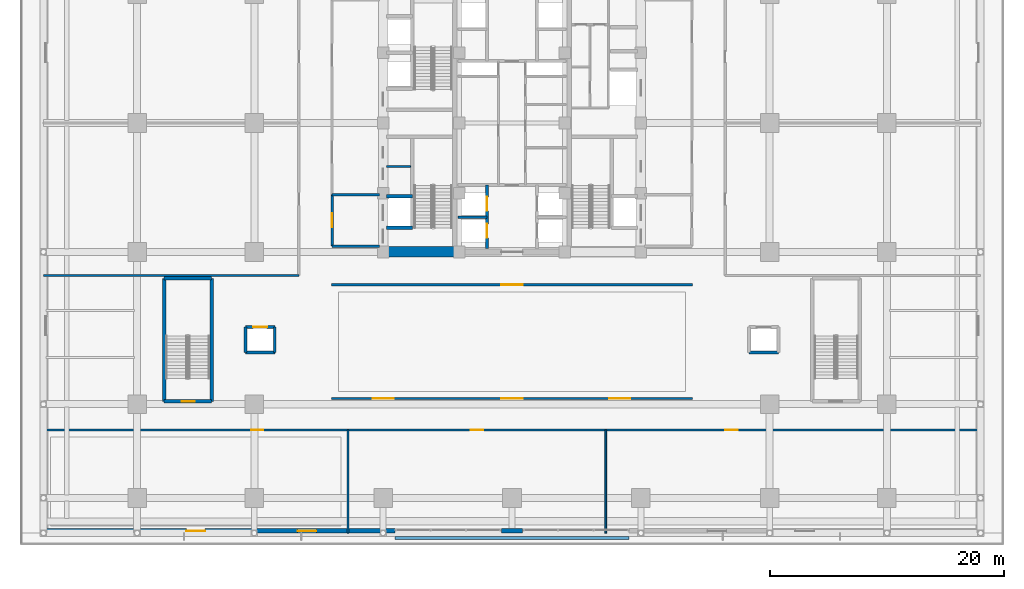
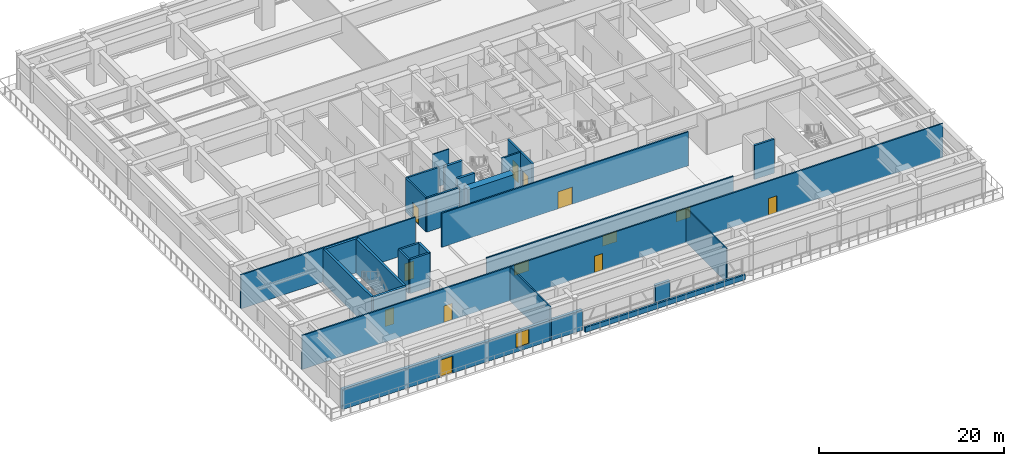
# One storey, part 25 of 38: 27 walls, 10 doors, 4 windows, 14 openings.
"""IFC4 building model written with IfcOpenShell, lengths in metres."""

from ifc_helpers import new_model, si_unit, direction, frame, frame_2d, origin, place, context, subcontext, project, spatial, rectangle, extrude, source, transform, mapped, material, layer, layer_set, type_object, element, fill, save


model = new_model("IFC4")

# Units and contexts
model_context = context("Model", 3, precision=1e-05, world=origin(), true_north=direction((0.0, 1.0)))
body_context = subcontext(model_context, "Body", "Model", "MODEL_VIEW")
ifc_project = project(units=[si_unit("LENGTHUNIT", "METRE"), si_unit("AREAUNIT", "SQUARE_METRE"), si_unit("VOLUMEUNIT", "CUBIC_METRE"), si_unit("PLANEANGLEUNIT", "RADIAN"), si_unit("MASSUNIT", "GRAM", prefix="KILO")], contexts=[model_context])

# Site, building, storey
site_placement = place(None, origin())
site = spatial("IfcSite", under=ifc_project, at=site_placement, CompositionType="ELEMENT")
building_placement = place(site_placement, origin())
building = spatial("IfcBuilding", under=site, at=building_placement, Name="Khorayat Bourse Tower", CompositionType="ELEMENT")
storey_placement = place(building_placement, frame((0.0, 0.0, 17.39990234375)))
storey = spatial("IfcBuildingStorey", under=building, at=storey_placement, Name="L03", CompositionType="ELEMENT", Elevation=17.39990234375)

# Wall
ifc_material_1 = material(Name="Concrete C72/90", Category="concrete")
ifc_layer_1 = layer(ifc_material_1, 0.89990234375)
ifc_layer_set_1 = layer_set([ifc_layer_1], Name="Concrete C72/90")
wall_type_1 = type_object("IfcWallType", Name="WAL-CORE-900", PredefinedType="SHEAR", material=ifc_layer_set_1)
shared_shape_1 = source(origin(), body_context, "Body", "SweptSolid", [
    extrude(rectangle(XDim=5.849853515625, YDim=0.89990234375, at=frame_2d((2.9248046875, 0.0))), origin(), (0.0, 0.0, 1.0), 4.47998046875),
])
wall_1_placement = place(storey_placement, frame((-10.699951171875, -11.0, 0.0), z_axis=(0.0, 0.0, 1.0), x_axis=(1.0, 0.0, 0.0)))
element("IfcWall", 1, at=wall_1_placement, inside=storey, type_object=wall_type_1, Name="L03 Core Shear Wall PIER-WS", PredefinedType="SHEAR", context=body_context, shape_type="MappedRepresentation", body=[
    mapped(shared_shape_1, transform((0.0, 0.0, 0.0), scale=1.0)),
])

# Wall, openings, door, window
ifc_material_2 = material(Name="Precast concrete C45/55", Category="concrete")
ifc_layer_2 = layer(ifc_material_2, 0.3798828125)
ifc_layer_set_2 = layer_set([ifc_layer_2], Name="Precast concrete C45/55")
wall_type_2 = type_object("IfcWallType", Name="WAL-EXT-STONE-380", PredefinedType="STANDARD", material=ifc_layer_set_2)
shared_shape_2 = source(origin(), body_context, "Body", "SweptSolid", [
    extrude(rectangle(XDim=30.0, YDim=0.3798828125, at=frame_2d((15.0, 0.0))), origin(), (0.0, 0.0, 1.0), 2.68017578125),
])
wall_2_placement = place(storey_placement, frame((-40.0, -34.81005859375, 0.0), z_axis=(0.0, 0.0, 1.0), x_axis=(1.0, 0.0, 0.0)))
wall_2 = element("IfcWall", 2, at=wall_2_placement, inside=storey, type_object=wall_type_2, Name="L03 Exterior Limestone Wall WAL-L03-EXT-SW", PredefinedType="STANDARD", context=body_context, shape_type="MappedRepresentation", body=[
    mapped(shared_shape_2, transform((0.0, 0.0, 0.0), scale=1.0)),
])
shared_shape_3 = source(origin(), body_context, "Body", "SweptSolid", [
    extrude(rectangle(XDim=1.60009765625, YDim=2.25, at=frame_2d((0.800048828125, 1.125))), frame((0.0, 0.199951171875, 0.0), z_axis=(0.0, -1.0, 0.0), x_axis=(1.0, 0.0, 0.0)), (0.0, 0.0, 1.0), 0.39990234375),
])
opening_1_placement = place(wall_2_placement, frame((12.199951171875, 0.0, 0.0)))
opening_1 = element("IfcOpeningElement", 3, at=opening_1_placement, cuts=wall_2, Name="Opening DE-04", PredefinedType="OPENING", context=body_context, shape_type="MappedRepresentation", body=[
    mapped(shared_shape_3, transform((0.0, 0.0, 0.0), scale=1.0)),
])
shared_shape_4 = source(origin(), body_context, "Body", "SweptSolid", [
    extrude(rectangle(XDim=1.60009765625, YDim=1.9599609375, at=frame_2d((0.800048828125, 0.97998046875))), frame((0.0, 0.199951171875, 0.0), z_axis=(0.0, -1.0, 0.0), x_axis=(1.0, 0.0, 0.0)), (0.0, 0.0, 1.0), 0.39990234375),
])
opening_2_placement = place(wall_2_placement, frame((21.699951171875, 0.0, 0.5)))
opening_2 = element("IfcOpeningElement", 4, at=opening_2_placement, cuts=wall_2, Name="Opening WN-02", PredefinedType="OPENING", context=body_context, shape_type="MappedRepresentation", body=[
    mapped(shared_shape_4, transform((0.0, 0.0, 0.0), scale=1.0)),
])
ifc_material_3 = material(Name="Thermally broken aluminium terrace double door", Category="aluminium")
door_type_1 = type_object("IfcDoorType", Name="DR-EXT-TERR-1600", OperationType="NOTDEFINED", PredefinedType="DOOR", material=ifc_material_3)
shared_shape_5 = source(origin(), body_context, "Body", "SweptSolid", [
    extrude(rectangle(XDim=1.60009765625, YDim=2.25, at=frame_2d((0.800048828125, 1.125))), frame((0.0, 0.02490234375, 0.0), z_axis=(0.0, -1.0, 0.0), x_axis=(1.0, 0.0, 0.0)), (0.0, 0.0, 1.0), 0.050048828125),
])
door_1_placement = place(opening_1_placement, origin())
door_1 = element("IfcDoor", 5, at=door_1_placement, inside=storey, type_object=door_type_1, Name="L03 South Garden Terrace Door", OperationType="DOUBLE_DOOR_SINGLE_SWING", OverallHeight=2.25, OverallWidth=1.60009765625, PredefinedType="DOOR", context=body_context, shape_type="MappedRepresentation", body=[
    mapped(shared_shape_5, transform((0.0, 0.0, 0.0), scale=1.0)),
])
fill(opening_1, door_1)
ifc_material_4 = material(Name="Low-E solar-control laminated double glazing", Category="glass")
window_type_1 = type_object("IfcWindowType", Name="WIN-POD-1600x2200", PartitioningType="SINGLE_PANEL", PredefinedType="WINDOW", material=ifc_material_4)
shared_shape_6 = source(origin(), body_context, "Body", "SweptSolid", [
    extrude(rectangle(XDim=1.60009765625, YDim=1.9599609375, at=frame_2d((0.800048828125, 0.97998046875))), frame((0.0, 0.030029296875, 0.0), z_axis=(0.0, -1.0, 0.0), x_axis=(1.0, 0.0, 0.0)), (0.0, 0.0, 1.0), 0.06005859375),
])
window_1_placement = place(opening_2_placement, origin())
window_1 = element("IfcWindow", 6, at=window_1_placement, inside=storey, type_object=window_type_1, Name="L03 Facade Window 3", OverallHeight=1.9599609375, OverallWidth=1.60009765625, PartitioningType="SINGLE_PANEL", PredefinedType="WINDOW", context=body_context, shape_type="MappedRepresentation", body=[
    mapped(shared_shape_6, transform((0.0, 0.0, 0.0), scale=1.0)),
])
fill(opening_2, window_1)

# Walls
shared_shape_7 = source(origin(), body_context, "Body", "SweptSolid", [
    extrude(rectangle(XDim=1.7998046875, YDim=0.3798828125, at=frame_2d((0.89990234375, 0.0))), origin(), (0.0, 0.0, 1.0), 2.68017578125),
])
wall_3_placement = place(storey_placement, frame((-0.89990234375, -34.81005859375, 0.0), z_axis=(0.0, 0.0, 1.0), x_axis=(1.0, 0.0, 0.0)))
element("IfcWall", 7, at=wall_3_placement, inside=storey, type_object=wall_type_2, Name="L03 Exterior Limestone Wall WAL-L03-EXT-SM", PredefinedType="STANDARD", context=body_context, shape_type="MappedRepresentation", body=[
    mapped(shared_shape_7, transform((0.0, 0.0, 0.0), scale=1.0)),
])
ifc_layer_3 = layer(ifc_material_2, 0.239990234375)
ifc_layer_set_3 = layer_set([ifc_layer_3], Name="Precast concrete C45/55")
wall_type_3 = type_object("IfcWallType", Name="WAL-PLANTER-240", PredefinedType="STANDARD", material=ifc_layer_set_3)
shared_shape_8 = source(origin(), body_context, "Body", "SweptSolid", [
    extrude(rectangle(XDim=20.0, YDim=0.239990234375, at=frame_2d((10.0, 0.0))), origin(), (0.0, 0.0, 1.0), 0.650146484375),
])
wall_4_placement = place(storey_placement, frame((-10.0, -35.429931640625, 0.0), z_axis=(0.0, 0.0, 1.0), x_axis=(1.0, 0.0, 0.0)))
element("IfcWall", 8, at=wall_4_placement, inside=storey, type_object=wall_type_3, Name="L03 Planted Terrace Upstand PLN-S", PredefinedType="STANDARD", context=body_context, shape_type="MappedRepresentation", body=[
    mapped(shared_shape_8, transform((0.0, 0.0, 0.0), scale=1.0)),
])
ifc_material_5 = material(Name="Concrete C50/60", Category="concrete")
ifc_layer_4 = layer(ifc_material_5, 0.300048828125)
ifc_layer_set_4 = layer_set([ifc_layer_4], Name="Concrete C50/60")
wall_type_4 = type_object("IfcWallType", Name="WAL-SHAFT-300", PredefinedType="SHEAR", material=ifc_layer_set_4)
shared_shape_9 = source(origin(), body_context, "Body", "SweptSolid", [
    extrude(rectangle(XDim=2.199951171875, YDim=0.300048828125, at=frame_2d((1.10009765625, 0.0))), origin(), (0.0, 0.0, 1.0), 4.47998046875),
])
for number, where, z_axis, x_axis, name in (
    (9, (-10.699951171875, -8.949951171875, 0.0), (0.0, 0.0, 1.0), (1.0, 0.0, 0.0), "L03 Partition WAL-L03-WPIER-FF1S"),
    (10, (-10.699951171875, -6.25, 0.0), (0.0, 0.0, 1.0), (1.0, 0.0, 0.0), "L03 Partition WAL-L03-WPIER-FF1N"),
):
    element("IfcWall", number, at=place(storey_placement, frame(where, z_axis=z_axis, x_axis=x_axis)), inside=storey, type_object=wall_type_4, Name=name, PredefinedType="SHEAR", context=body_context, shape_type="MappedRepresentation", body=[
        mapped(shared_shape_9, transform((0.0, 0.0, 0.0), scale=1.0)),
    ])
ifc_material_6 = material(Name="Gypsum plasterboard twin-frame partition")
ifc_layer_5 = layer(ifc_material_6, 0.14990234375)
ifc_layer_set_5 = layer_set([ifc_layer_5], Name="Gypsum plasterboard twin-frame partition")
wall_type_5 = type_object("IfcWallType", Name="WAL-PART-SUITE-150", PredefinedType="PARTITIONING", material=ifc_layer_set_5)
shared_shape_10 = source(origin(), body_context, "Body", "SweptSolid", [
    extrude(rectangle(XDim=2.050048828125, YDim=0.14990234375, at=frame_2d((1.02490234375, 0.0))), origin(), (0.0, 0.0, 1.0), 4.47998046875),
])
wall_5_placement = place(storey_placement, frame((-10.699951171875, -3.699951171875, 0.0), z_axis=(0.0, 0.0, 1.0), x_axis=(1.0, 0.0, 0.0)))
element("IfcWall", 11, at=wall_5_placement, inside=storey, type_object=wall_type_5, Name="L03 Partition WAL-L03-WSRV-D1", PredefinedType="PARTITIONING", context=body_context, shape_type="MappedRepresentation", body=[
    mapped(shared_shape_10, transform((0.0, 0.0, 0.0), scale=1.0)),
])
ifc_material_7 = material(Name="Aerated concrete blockwork", Category="masonry")
ifc_layer_6 = layer(ifc_material_7, 0.219970703125)
ifc_layer_set_6 = layer_set([ifc_layer_6], Name="Aerated concrete blockwork")
wall_type_6 = type_object("IfcWallType", Name="WAL-PART-FF-220", PredefinedType="PARTITIONING", material=ifc_layer_set_6)
shared_shape_11 = source(origin(), body_context, "Body", "SweptSolid", [
    extrude(rectangle(XDim=4.050048828125, YDim=0.219970703125, at=frame_2d((2.02490234375, 0.0))), origin(), (0.0, 0.0, 1.0), 4.47998046875),
])
for number, where, z_axis, x_axis, name in (
    (12, (-15.35009765625, -10.5, 0.0), (0.0, 0.0, 1.0), (1.0, 0.0, 0.0), "L03 Partition WAL-L03-FFLW-S"),
    (13, (-15.35009765625, -6.10009765625, 0.0), (0.0, 0.0, 1.0), (1.0, 0.0, 0.0), "L03 Partition WAL-L03-FFLW-N"),
):
    element("IfcWall", number, at=place(storey_placement, frame(where, z_axis=z_axis, x_axis=x_axis)), inside=storey, type_object=wall_type_6, Name=name, PredefinedType="PARTITIONING", context=body_context, shape_type="MappedRepresentation", body=[
        mapped(shared_shape_11, transform((0.0, 0.0, 0.0), scale=1.0)),
    ])

# Wall, opening, door
shared_shape_12 = source(origin(), body_context, "Body", "SweptSolid", [
    extrude(rectangle(XDim=4.39990234375, YDim=0.219970703125, at=frame_2d((2.199951171875, 0.0))), origin(), (0.0, 0.0, 1.0), 4.47998046875),
])
wall_6_placement = place(storey_placement, frame((-15.35009765625, -10.5, 0.0), z_axis=(0.0, 0.0, 1.0), x_axis=(0.0, 1.0, 0.0)))
wall_6 = element("IfcWall", 14, at=wall_6_placement, inside=storey, type_object=wall_type_6, Name="L03 Partition WAL-L03-FFLW-W", PredefinedType="PARTITIONING", context=body_context, shape_type="MappedRepresentation", body=[
    mapped(shared_shape_12, transform((0.0, 0.0, 0.0), scale=1.0)),
])
shared_shape_13 = source(origin(), body_context, "Body", "SweptSolid", [
    extrude(rectangle(XDim=1.199951171875, YDim=2.199951171875, at=frame_2d((0.60009765625, 1.10009765625))), frame((0.0, 0.119873046875, 0.0), z_axis=(0.0, -1.0, 0.0), x_axis=(1.0, 0.0, 0.0)), (0.0, 0.0, 1.0), 0.239990234375),
])
opening_3_placement = place(wall_6_placement, frame((1.60009765625, 0.0, 0.0)))
opening_3 = element("IfcOpeningElement", 15, at=opening_3_placement, cuts=wall_6, Name="Opening DI-02", PredefinedType="OPENING", context=body_context, shape_type="MappedRepresentation", body=[
    mapped(shared_shape_13, transform((0.0, 0.0, 0.0), scale=1.0)),
])
ifc_material_8 = material(Name="Fire-rated steel double-seal leaf", Category="steel")
door_type_2 = type_object("IfcDoorType", Name="DR-INT-FFLOBBY-1200", OperationType="NOTDEFINED", PredefinedType="DOOR", material=ifc_material_8)
shared_shape_14 = source(origin(), body_context, "Body", "SweptSolid", [
    extrude(rectangle(XDim=1.199951171875, YDim=2.199951171875, at=frame_2d((0.60009765625, 1.10009765625))), frame((0.0, 0.02490234375, 0.0), z_axis=(0.0, -1.0, 0.0), x_axis=(1.0, 0.0, 0.0)), (0.0, 0.0, 1.0), 0.050048828125),
])
door_2_placement = place(opening_3_placement, origin())
door_2 = element("IfcDoor", 16, at=door_2_placement, inside=storey, type_object=door_type_2, Name="L03 West Firefighting Lobby Door", OperationType="SINGLE_SWING_LEFT", OverallHeight=2.199951171875, OverallWidth=1.199951171875, PredefinedType="DOOR", context=body_context, shape_type="MappedRepresentation", body=[
    mapped(shared_shape_14, transform((0.0, 0.0, 0.0), scale=1.0)),
])
fill(opening_3, door_2)

# Wall, openings, doors
shared_shape_15 = source(origin(), body_context, "Body", "SweptSolid", [
    extrude(rectangle(XDim=5.39990234375, YDim=0.25, at=frame_2d((2.699951171875, 0.0))), origin(), (0.0, 0.0, 1.0), 4.47998046875),
])
wall_7_placement = place(storey_placement, frame((-2.14990234375, -10.699951171875, 0.0), z_axis=(0.0, 0.0, 1.0), x_axis=(0.0, 1.0, 0.0)))
wall_7 = element("IfcWall", 17, at=wall_7_placement, inside=storey, type_object=wall_type_4, Name="L03 Partition WAL-L03-B1-W", PredefinedType="SHEAR", context=body_context, shape_type="MappedRepresentation", body=[
    mapped(shared_shape_15, transform((0.0, 0.0, 0.0), scale=1.0)),
])
shared_shape_16 = source(origin(), body_context, "Body", "SweptSolid", [
    extrude(rectangle(XDim=1.199951171875, YDim=2.300048828125, at=frame_2d((0.60009765625, 1.14990234375))), frame((0.0, 0.135009765625, 0.0), z_axis=(0.0, -1.0, 0.0), x_axis=(1.0, 0.0, 0.0)), (0.0, 0.0, 1.0), 0.27001953125),
])
opening_4_placement = place(wall_7_placement, frame((0.89990234375, 0.0, 0.0)))
opening_4 = element("IfcOpeningElement", 18, at=opening_4_placement, cuts=wall_7, Name="Opening LD-01", PredefinedType="OPENING", context=body_context, shape_type="MappedRepresentation", body=[
    mapped(shared_shape_16, transform((0.0, 0.0, 0.0), scale=1.0)),
])
opening_5_placement = place(wall_7_placement, frame((3.199951171875, 0.0, 0.0)))
opening_5 = element("IfcOpeningElement", 19, at=opening_5_placement, cuts=wall_7, Name="Opening LD-01", PredefinedType="OPENING", context=body_context, shape_type="MappedRepresentation", body=[
    mapped(shared_shape_16, transform((0.0, 0.0, 0.0), scale=1.0)),
])
ifc_material_9 = material(Name="Brushed bronze stainless-steel sliding door", Category="steel")
door_type_3 = type_object("IfcDoorType", Name="DR-LIFT-PASS-1200", OperationType="NOTDEFINED", PredefinedType="DOOR", material=ifc_material_9)
shared_shape_17 = source(origin(), body_context, "Body", "SweptSolid", [
    extrude(rectangle(XDim=1.199951171875, YDim=2.300048828125, at=frame_2d((0.60009765625, 1.14990234375))), frame((0.0, 0.02490234375, 0.0), z_axis=(0.0, -1.0, 0.0), x_axis=(1.0, 0.0, 0.0)), (0.0, 0.0, 1.0), 0.050048828125),
])
door_3_placement = place(opening_4_placement, origin())
door_3 = element("IfcDoor", 20, at=door_3_placement, inside=storey, type_object=door_type_3, Name="L03 Lift PL-L1 Sliding Landing Door", OperationType="SLIDING_TO_LEFT", OverallHeight=2.300048828125, OverallWidth=1.199951171875, PredefinedType="DOOR", context=body_context, shape_type="MappedRepresentation", body=[
    mapped(shared_shape_17, transform((0.0, 0.0, 0.0), scale=1.0)),
])
fill(opening_4, door_3)
door_4_placement = place(opening_5_placement, origin())
door_4 = element("IfcDoor", 21, at=door_4_placement, inside=storey, type_object=door_type_3, Name="L03 Lift PL-L3 Sliding Landing Door", OperationType="SLIDING_TO_LEFT", OverallHeight=2.300048828125, OverallWidth=1.199951171875, PredefinedType="DOOR", context=body_context, shape_type="MappedRepresentation", body=[
    mapped(shared_shape_17, transform((0.0, 0.0, 0.0), scale=1.0)),
])
fill(opening_5, door_4)

# Wall
shared_shape_18 = source(origin(), body_context, "Body", "SweptSolid", [
    extrude(rectangle(XDim=2.4501953125, YDim=0.199951171875, at=frame_2d((1.22509765625, 0.0))), origin(), (0.0, 0.0, 1.0), 4.47998046875),
])
wall_8_placement = place(storey_placement, frame((-4.60009765625, -8.050048828125, 0.0), z_axis=(0.0, 0.0, 1.0), x_axis=(1.0, 0.0, 0.0)))
element("IfcWall", 22, at=wall_8_placement, inside=storey, type_object=wall_type_4, Name="L03 Partition WAL-L03-B1-MW", PredefinedType="SHEAR", context=body_context, shape_type="MappedRepresentation", body=[
    mapped(shared_shape_18, transform((0.0, 0.0, 0.0), scale=1.0)),
])

# Wall, opening, door
shared_shape_19 = source(origin(), body_context, "Body", "SweptSolid", [
    extrude(rectangle(XDim=4.050048828125, YDim=0.300048828125, at=frame_2d((2.02490234375, 0.0))), origin(), (0.0, 0.0, 1.0), 4.47998046875),
])
wall_9_placement = place(storey_placement, frame((-29.699951171875, -23.75, 0.0), z_axis=(0.0, 0.0, 1.0), x_axis=(1.0, 0.0, 0.0)))
wall_9 = element("IfcWall", 23, at=wall_9_placement, inside=storey, type_object=wall_type_4, Name="L03 Partition WAL-L03-STP1-S", PredefinedType="SHEAR", context=body_context, shape_type="MappedRepresentation", body=[
    mapped(shared_shape_19, transform((0.0, 0.0, 0.0), scale=1.0)),
])
shared_shape_20 = source(origin(), body_context, "Body", "SweptSolid", [
    extrude(rectangle(XDim=1.10009765625, YDim=2.199951171875, at=frame_2d((0.550048828125, 1.10009765625))), frame((0.0, 0.159912109375, 0.0), z_axis=(0.0, -1.0, 0.0), x_axis=(1.0, 0.0, 0.0)), (0.0, 0.0, 1.0), 0.320068359375),
])
opening_6_placement = place(wall_9_placement, frame((1.5, 0.0, 0.0)))
opening_6 = element("IfcOpeningElement", 24, at=opening_6_placement, cuts=wall_9, Name="Opening DI-01", PredefinedType="OPENING", context=body_context, shape_type="MappedRepresentation", body=[
    mapped(shared_shape_20, transform((0.0, 0.0, 0.0), scale=1.0)),
])
ifc_material_10 = material(Name="Fire-rated steel acoustic leaf", Category="steel")
door_type_4 = type_object("IfcDoorType", Name="DR-INT-STAIR-1100", OperationType="NOTDEFINED", PredefinedType="DOOR", material=ifc_material_10)
shared_shape_21 = source(origin(), body_context, "Body", "SweptSolid", [
    extrude(rectangle(XDim=1.10009765625, YDim=2.199951171875, at=frame_2d((0.550048828125, 1.10009765625))), frame((0.0, 0.02490234375, 0.0), z_axis=(0.0, -1.0, 0.0), x_axis=(1.0, 0.0, 0.0)), (0.0, 0.0, 1.0), 0.050048828125),
])
door_5_placement = place(opening_6_placement, origin())
door_5 = element("IfcDoor", 25, at=door_5_placement, inside=storey, type_object=door_type_4, Name="L03 Podium Stair P1 Door", OperationType="SINGLE_SWING_RIGHT", OverallHeight=2.199951171875, OverallWidth=1.10009765625, PredefinedType="DOOR", context=body_context, shape_type="MappedRepresentation", body=[
    mapped(shared_shape_21, transform((0.0, 0.0, 0.0), scale=1.0)),
])
fill(opening_6, door_5)

# Walls
wall_10_placement = place(storey_placement, frame((-29.699951171875, -13.25, 0.0), z_axis=(0.0, 0.0, 1.0), x_axis=(1.0, 0.0, 0.0)))
element("IfcWall", 26, at=wall_10_placement, inside=storey, type_object=wall_type_4, Name="L03 Partition WAL-L03-STP1-N", PredefinedType="SHEAR", context=body_context, shape_type="MappedRepresentation", body=[
    mapped(shared_shape_19, transform((0.0, 0.0, 0.0), scale=1.0)),
])
shared_shape_22 = source(origin(), body_context, "Body", "SweptSolid", [
    extrude(rectangle(XDim=10.5, YDim=0.300048828125, at=frame_2d((5.25, 0.0))), origin(), (0.0, 0.0, 1.0), 4.47998046875),
])
for number, where, z_axis, x_axis, name in (
    (27, (-29.699951171875, -23.75, 0.0), (0.0, 0.0, 1.0), (0.0, 1.0, 0.0), "L03 Partition WAL-L03-STP1-W"),
    (28, (-25.64990234375, -23.75, 0.0), (0.0, 0.0, 1.0), (0.0, 1.0, 0.0), "L03 Partition WAL-L03-STP1-E"),
):
    element("IfcWall", number, at=place(storey_placement, frame(where, z_axis=z_axis, x_axis=x_axis)), inside=storey, type_object=wall_type_4, Name=name, PredefinedType="SHEAR", context=body_context, shape_type="MappedRepresentation", body=[
        mapped(shared_shape_22, transform((0.0, 0.0, 0.0), scale=1.0)),
    ])
shared_shape_23 = source(origin(), body_context, "Body", "SweptSolid", [
    extrude(rectangle(XDim=2.5, YDim=0.25, at=frame_2d((1.25, 0.0))), origin(), (0.0, 0.0, 1.0), 4.47998046875),
])
wall_11_placement = place(storey_placement, frame((-22.75, -19.60009765625, 0.0), z_axis=(0.0, 0.0, 1.0), x_axis=(1.0, 0.0, 0.0)))
element("IfcWall", 29, at=wall_11_placement, inside=storey, type_object=wall_type_4, Name="L03 Partition WAL-L03-PLP1-S", PredefinedType="SHEAR", context=body_context, shape_type="MappedRepresentation", body=[
    mapped(shared_shape_23, transform((0.0, 0.0, 0.0), scale=1.0)),
])

# Wall, opening, door
wall_12_placement = place(storey_placement, frame((-22.75, -17.39990234375, 0.0), z_axis=(0.0, 0.0, 1.0), x_axis=(1.0, 0.0, 0.0)))
wall_12 = element("IfcWall", 30, at=wall_12_placement, inside=storey, type_object=wall_type_4, Name="L03 Partition WAL-L03-PLP1-N", PredefinedType="SHEAR", context=body_context, shape_type="MappedRepresentation", body=[
    mapped(shared_shape_23, transform((0.0, 0.0, 0.0), scale=1.0)),
])
opening_7_placement = place(wall_12_placement, frame((0.64990234375, 0.0, 0.0)))
opening_7 = element("IfcOpeningElement", 31, at=opening_7_placement, cuts=wall_12, Name="Opening LD-01", PredefinedType="OPENING", context=body_context, shape_type="MappedRepresentation", body=[
    mapped(shared_shape_16, transform((0.0, 0.0, 0.0), scale=1.0)),
])
door_6_placement = place(opening_7_placement, origin())
door_6 = element("IfcDoor", 32, at=door_6_placement, inside=storey, type_object=door_type_3, Name="L03 Lift PL-P1 Sliding Landing Door", OperationType="SLIDING_TO_LEFT", OverallHeight=2.300048828125, OverallWidth=1.199951171875, PredefinedType="DOOR", context=body_context, shape_type="MappedRepresentation", body=[
    mapped(shared_shape_17, transform((0.0, 0.0, 0.0), scale=1.0)),
])
fill(opening_7, door_6)

# Walls
wall_13_placement = place(storey_placement, frame((20.25, -19.60009765625, 0.0), z_axis=(0.0, 0.0, 1.0), x_axis=(1.0, 0.0, 0.0)))
element("IfcWall", 33, at=wall_13_placement, inside=storey, type_object=wall_type_4, Name="L03 Partition WAL-L03-PLP2-S", PredefinedType="SHEAR", context=body_context, shape_type="MappedRepresentation", body=[
    mapped(shared_shape_23, transform((0.0, 0.0, 0.0), scale=1.0)),
])
shared_shape_24 = source(origin(), body_context, "Body", "SweptSolid", [
    extrude(rectangle(XDim=2.2001953125, YDim=0.25, at=frame_2d((1.10009765625, 0.0))), origin(), (0.0, 0.0, 1.0), 4.47998046875),
])
for number, where, z_axis, x_axis, name in (
    (34, (-22.75, -19.60009765625, 0.0), (0.0, 0.0, 1.0), (0.0, 1.0, 0.0), "L03 Partition WAL-L03-PLP1-W"),
    (35, (-20.25, -19.60009765625, 0.0), (0.0, 0.0, 1.0), (0.0, 1.0, 0.0), "L03 Partition WAL-L03-PLP1-E"),
):
    element("IfcWall", number, at=place(storey_placement, frame(where, z_axis=z_axis, x_axis=x_axis)), inside=storey, type_object=wall_type_4, Name=name, PredefinedType="SHEAR", context=body_context, shape_type="MappedRepresentation", body=[
        mapped(shared_shape_24, transform((0.0, 0.0, 0.0), scale=1.0)),
    ])

# Wall, opening, door
ifc_material_11 = material(Name="Gypsum plasterboard acoustic stud wall")
ifc_layer_7 = layer(ifc_material_11, 0.179931640625)
ifc_layer_set_7 = layer_set([ifc_layer_7], Name="Gypsum plasterboard acoustic stud wall")
wall_type_7 = type_object("IfcWallType", Name="WAL-PART-CORR-180", PredefinedType="PARTITIONING", material=ifc_layer_set_7)
shared_shape_25 = source(origin(), body_context, "Body", "SweptSolid", [
    extrude(rectangle(XDim=30.7998046875, YDim=0.179931640625, at=frame_2d((15.39990234375, 0.0))), origin(), (0.0, 0.0, 1.0), 4.47998046875),
])
wall_14_placement = place(storey_placement, frame((-15.39990234375, -13.800048828125, 0.0), z_axis=(0.0, 0.0, 1.0), x_axis=(1.0, 0.0, 0.0)))
wall_14 = element("IfcWall", 36, at=wall_14_placement, inside=storey, type_object=wall_type_7, Name="L03 Partition WAL-L03-HALL-N", PredefinedType="PARTITIONING", context=body_context, shape_type="MappedRepresentation", body=[
    mapped(shared_shape_25, transform((0.0, 0.0, 0.0), scale=1.0)),
])
shared_shape_26 = source(origin(), body_context, "Body", "SweptSolid", [
    extrude(rectangle(XDim=1.800048828125, YDim=2.25, at=frame_2d((0.89990234375, 1.125))), frame((0.0, 0.099853515625, 0.0), z_axis=(0.0, -1.0, 0.0), x_axis=(1.0, 0.0, 0.0)), (0.0, 0.0, 1.0), 0.199951171875),
])
opening_8_placement = place(wall_14_placement, frame((14.5, 0.0, 0.0)))
opening_8 = element("IfcOpeningElement", 37, at=opening_8_placement, cuts=wall_14, Name="Opening DI-03", PredefinedType="OPENING", context=body_context, shape_type="MappedRepresentation", body=[
    mapped(shared_shape_26, transform((0.0, 0.0, 0.0), scale=1.0)),
])
ifc_material_12 = material(Name="Fire-rated hardwood vision-panel double leaf", Category="wood")
door_type_5 = type_object("IfcDoorType", Name="DR-INT-CORR-1800", OperationType="NOTDEFINED", PredefinedType="DOOR", material=ifc_material_12)
shared_shape_27 = source(origin(), body_context, "Body", "SweptSolid", [
    extrude(rectangle(XDim=1.800048828125, YDim=2.25, at=frame_2d((0.89990234375, 1.125))), frame((0.0, 0.02490234375, 0.0), z_axis=(0.0, -1.0, 0.0), x_axis=(1.0, 0.0, 0.0)), (0.0, 0.0, 1.0), 0.050048828125),
])
door_7_placement = place(opening_8_placement, origin())
door_7 = element("IfcDoor", 38, at=door_7_placement, inside=storey, type_object=door_type_5, Name="L03 Central Clearing Counterparty Hall Door", OperationType="SINGLE_SWING_LEFT", OverallHeight=2.25, OverallWidth=1.800048828125, PredefinedType="DOOR", context=body_context, shape_type="MappedRepresentation", body=[
    mapped(shared_shape_27, transform((0.0, 0.0, 0.0), scale=1.0)),
])
fill(opening_8, door_7)

# Wall, openings, windows
wall_15_placement = place(storey_placement, frame((-15.39990234375, -23.5, 0.0), z_axis=(0.0, 0.0, 1.0), x_axis=(1.0, 0.0, 0.0)))
wall_15 = element("IfcWall", 39, at=wall_15_placement, inside=storey, type_object=wall_type_7, Name="L03 Partition WAL-L03-HALL-S", PredefinedType="PARTITIONING", context=body_context, shape_type="MappedRepresentation", body=[
    mapped(shared_shape_25, transform((0.0, 0.0, 0.0), scale=1.0)),
])
shared_shape_28 = source(origin(), body_context, "Body", "SweptSolid", [
    extrude(rectangle(XDim=1.800048828125, YDim=1.39990234375, at=frame_2d((0.89990234375, 0.699951171875))), frame((0.0, 0.099853515625, 0.0), z_axis=(0.0, -1.0, 0.0), x_axis=(1.0, 0.0, 0.0)), (0.0, 0.0, 1.0), 0.199951171875),
])
opening_9_placement = place(wall_15_placement, frame((3.5, 0.0, 0.89990234375)))
opening_9 = element("IfcOpeningElement", 40, at=opening_9_placement, cuts=wall_15, Name="Opening WNI-01", PredefinedType="OPENING", context=body_context, shape_type="MappedRepresentation", body=[
    mapped(shared_shape_28, transform((0.0, 0.0, 0.0), scale=1.0)),
])
opening_10_placement = place(wall_15_placement, frame((14.5, 0.0, 0.89990234375)))
opening_10 = element("IfcOpeningElement", 41, at=opening_10_placement, cuts=wall_15, Name="Opening WNI-01", PredefinedType="OPENING", context=body_context, shape_type="MappedRepresentation", body=[
    mapped(shared_shape_28, transform((0.0, 0.0, 0.0), scale=1.0)),
])
opening_11_placement = place(wall_15_placement, frame((23.699951171875, 0.0, 0.89990234375)))
opening_11 = element("IfcOpeningElement", 42, at=opening_11_placement, cuts=wall_15, Name="Opening WNI-01", PredefinedType="OPENING", context=body_context, shape_type="MappedRepresentation", body=[
    mapped(shared_shape_28, transform((0.0, 0.0, 0.0), scale=1.0)),
])
ifc_material_13 = material(Name="Acoustic laminated interior vision glazing", Category="glass")
window_type_2 = type_object("IfcWindowType", Name="WIN-INT-VISION-1800", PartitioningType="SINGLE_PANEL", PredefinedType="WINDOW", material=ifc_material_13)
shared_shape_29 = source(origin(), body_context, "Body", "SweptSolid", [
    extrude(rectangle(XDim=1.800048828125, YDim=1.39990234375, at=frame_2d((0.89990234375, 0.699951171875))), frame((0.0, 0.030029296875, 0.0), z_axis=(0.0, -1.0, 0.0), x_axis=(1.0, 0.0, 0.0)), (0.0, 0.0, 1.0), 0.06005859375),
])
window_2_placement = place(opening_9_placement, origin())
window_2 = element("IfcWindow", 43, at=window_2_placement, inside=storey, type_object=window_type_2, Name="L03 Interior Gallery Vision Window 1", OverallHeight=1.39990234375, OverallWidth=1.800048828125, PartitioningType="SINGLE_PANEL", PredefinedType="WINDOW", context=body_context, shape_type="MappedRepresentation", body=[
    mapped(shared_shape_29, transform((0.0, 0.0, 0.0), scale=1.0)),
])
fill(opening_9, window_2)
window_3_placement = place(opening_10_placement, origin())
window_3 = element("IfcWindow", 44, at=window_3_placement, inside=storey, type_object=window_type_2, Name="L03 Interior Gallery Vision Window 2", OverallHeight=1.39990234375, OverallWidth=1.800048828125, PartitioningType="SINGLE_PANEL", PredefinedType="WINDOW", context=body_context, shape_type="MappedRepresentation", body=[
    mapped(shared_shape_29, transform((0.0, 0.0, 0.0), scale=1.0)),
])
fill(opening_10, window_3)
window_4_placement = place(opening_11_placement, origin())
window_4 = element("IfcWindow", 45, at=window_4_placement, inside=storey, type_object=window_type_2, Name="L03 Interior Gallery Vision Window 3", OverallHeight=1.39990234375, OverallWidth=1.800048828125, PartitioningType="SINGLE_PANEL", PredefinedType="WINDOW", context=body_context, shape_type="MappedRepresentation", body=[
    mapped(shared_shape_29, transform((0.0, 0.0, 0.0), scale=1.0)),
])
fill(opening_11, window_4)

# Walls
shared_shape_30 = source(origin(), body_context, "Body", "SweptSolid", [
    extrude(rectangle(XDim=8.800048828125, YDim=0.14990234375, at=frame_2d((4.39990234375, 0.0))), origin(), (0.0, 0.0, 1.0), 4.47998046875),
])
for number, where, z_axis, x_axis, name in (
    (46, (-14.0, -35.0, 0.0), (0.0, 0.0, 1.0), (0.0, 1.0, 0.0), "L03 Partition WAL-L03-PS-DIV-1"),
    (47, (8.0, -35.0, 0.0), (0.0, 0.0, 1.0), (0.0, 1.0, 0.0), "L03 Partition WAL-L03-PS-DIV-2"),
):
    element("IfcWall", number, at=place(storey_placement, frame(where, z_axis=z_axis, x_axis=x_axis)), inside=storey, type_object=wall_type_5, Name=name, PredefinedType="PARTITIONING", context=body_context, shape_type="MappedRepresentation", body=[
        mapped(shared_shape_30, transform((0.0, 0.0, 0.0), scale=1.0)),
    ])

# Wall, openings, doors
shared_shape_31 = source(origin(), body_context, "Body", "SweptSolid", [
    extrude(rectangle(XDim=80.0, YDim=0.179931640625, at=frame_2d((40.0, 0.0))), origin(), (0.0, 0.0, 1.0), 4.47998046875),
])
wall_16_placement = place(storey_placement, frame((-40.0, -26.199951171875, 0.0), z_axis=(0.0, 0.0, 1.0), x_axis=(1.0, 0.0, 0.0)))
wall_16 = element("IfcWall", 48, at=wall_16_placement, inside=storey, type_object=wall_type_7, Name="L03 Partition WAL-L03-PCORRS-S", PredefinedType="PARTITIONING", context=body_context, shape_type="MappedRepresentation", body=[
    mapped(shared_shape_31, transform((0.0, 0.0, 0.0), scale=1.0)),
])
shared_shape_32 = source(origin(), body_context, "Body", "SweptSolid", [
    extrude(rectangle(XDim=1.050048828125, YDim=2.199951171875, at=frame_2d((0.52490234375, 1.10009765625))), frame((0.0, 0.099853515625, 0.0), z_axis=(0.0, -1.0, 0.0), x_axis=(1.0, 0.0, 0.0)), (0.0, 0.0, 1.0), 0.199951171875),
])
opening_12_placement = place(wall_16_placement, frame((17.72509765625, 0.0, 0.0)))
opening_12 = element("IfcOpeningElement", 49, at=opening_12_placement, cuts=wall_16, Name="Opening DI-04", PredefinedType="OPENING", context=body_context, shape_type="MappedRepresentation", body=[
    mapped(shared_shape_32, transform((0.0, 0.0, 0.0), scale=1.0)),
])
opening_13_placement = place(wall_16_placement, frame((36.47509765625, 0.0, 0.0)))
opening_13 = element("IfcOpeningElement", 50, at=opening_13_placement, cuts=wall_16, Name="Opening DI-04", PredefinedType="OPENING", context=body_context, shape_type="MappedRepresentation", body=[
    mapped(shared_shape_32, transform((0.0, 0.0, 0.0), scale=1.0)),
])
opening_14_placement = place(wall_16_placement, frame((58.22509765625, 0.0, 0.0)))
opening_14 = element("IfcOpeningElement", 51, at=opening_14_placement, cuts=wall_16, Name="Opening DI-04", PredefinedType="OPENING", context=body_context, shape_type="MappedRepresentation", body=[
    mapped(shared_shape_32, transform((0.0, 0.0, 0.0), scale=1.0)),
])
ifc_material_14 = material(Name="Fire-rated oak veneer suite entrance door")
door_type_6 = type_object("IfcDoorType", Name="DR-INT-SUITE-1050", OperationType="NOTDEFINED", PredefinedType="DOOR", material=ifc_material_14)
shared_shape_33 = source(origin(), body_context, "Body", "SweptSolid", [
    extrude(rectangle(XDim=1.050048828125, YDim=2.199951171875, at=frame_2d((0.52490234375, 1.10009765625))), frame((0.0, 0.02490234375, 0.0), z_axis=(0.0, -1.0, 0.0), x_axis=(1.0, 0.0, 0.0)), (0.0, 0.0, 1.0), 0.050048828125),
])
door_8_placement = place(opening_12_placement, origin())
door_8 = element("IfcDoor", 52, at=door_8_placement, inside=storey, type_object=door_type_6, Name="L03 Settlement Operations Suite A Door", OperationType="SINGLE_SWING_RIGHT", OverallHeight=2.199951171875, OverallWidth=1.050048828125, PredefinedType="DOOR", context=body_context, shape_type="MappedRepresentation", body=[
    mapped(shared_shape_33, transform((0.0, 0.0, 0.0), scale=1.0)),
])
fill(opening_12, door_8)
door_9_placement = place(opening_13_placement, origin())
door_9 = element("IfcDoor", 53, at=door_9_placement, inside=storey, type_object=door_type_6, Name="L03 Regulatory Compliance Suite Door", OperationType="SINGLE_SWING_LEFT", OverallHeight=2.199951171875, OverallWidth=1.050048828125, PredefinedType="DOOR", context=body_context, shape_type="MappedRepresentation", body=[
    mapped(shared_shape_33, transform((0.0, 0.0, 0.0), scale=1.0)),
])
fill(opening_13, door_9)
door_10_placement = place(opening_14_placement, origin())
door_10 = element("IfcDoor", 54, at=door_10_placement, inside=storey, type_object=door_type_6, Name="L03 Arbitration Hearing Room Door", OperationType="SINGLE_SWING_RIGHT", OverallHeight=2.199951171875, OverallWidth=1.050048828125, PredefinedType="DOOR", context=body_context, shape_type="MappedRepresentation", body=[
    mapped(shared_shape_33, transform((0.0, 0.0, 0.0), scale=1.0)),
])
fill(opening_14, door_10)

# Wall
shared_shape_34 = source(origin(), body_context, "Body", "SweptSolid", [
    extrude(rectangle(XDim=21.800048828125, YDim=0.179931640625, at=frame_2d((10.89990234375, 0.0))), origin(), (0.0, 0.0, 1.0), 4.47998046875),
])
wall_17_placement = place(storey_placement, frame((-40.0, -13.0, 0.0), z_axis=(0.0, 0.0, 1.0), x_axis=(1.0, 0.0, 0.0)))
element("IfcWall", 55, at=wall_17_placement, inside=storey, type_object=wall_type_7, Name="L03 Partition WAL-L03-PW-S", PredefinedType="PARTITIONING", context=body_context, shape_type="MappedRepresentation", body=[
    mapped(shared_shape_34, transform((0.0, 0.0, 0.0), scale=1.0)),
])

save(model, "model.ifc")
